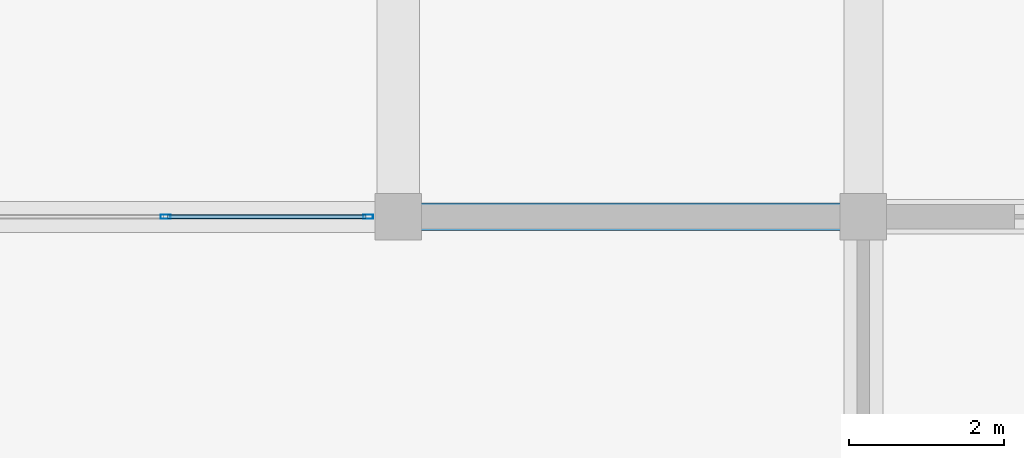
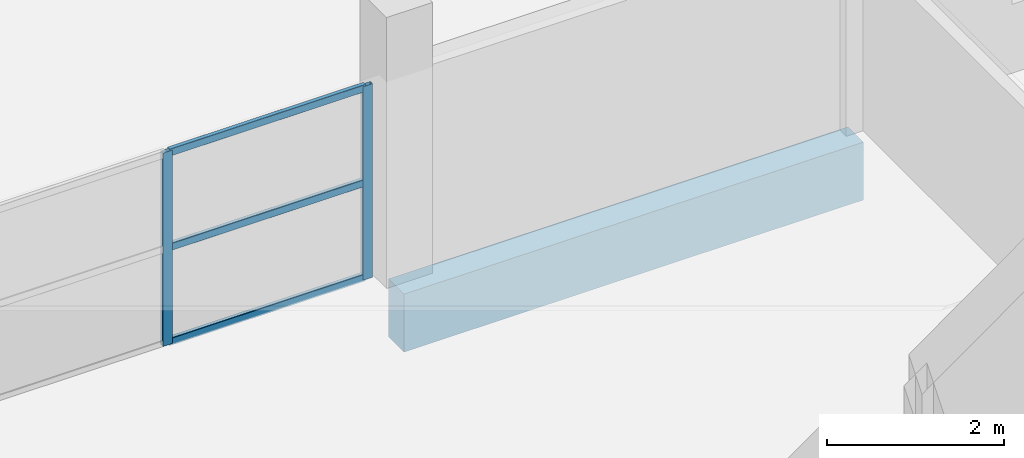
# One storey, part 7 of 19: 5 members, 1 beam, 1 element without a shape of its own.
"""IFC4 building model written with IfcOpenShell, lengths in metres."""

from ifc_helpers import new_model, si_unit, direction, frame, origin, origin_2d, place, context, subcontext, project, spatial, rectangle, hollow_rectangle, extrude, material, layer, layer_set, material_profile, profile_set, type_object, element, aggregate, save


model = new_model("IFC4")

# Units and contexts
model_context = context("Model", 3, precision=1e-05, world=origin(), true_north=direction((0.0, 1.0)))
body_context = subcontext(model_context, "Body", "Model", "MODEL_VIEW")
ifc_project = project(units=[si_unit("LENGTHUNIT", "METRE"), si_unit("AREAUNIT", "SQUARE_METRE"), si_unit("VOLUMEUNIT", "CUBIC_METRE"), si_unit("PLANEANGLEUNIT", "RADIAN"), si_unit("MASSUNIT", "GRAM", prefix="KILO")], contexts=[model_context])

# Site, building, storey
site_placement = place(None, origin())
site = spatial("IfcSite", under=ifc_project, at=site_placement, CompositionType="ELEMENT")
building_placement = place(site_placement, origin())
building = spatial("IfcBuilding", under=site, at=building_placement, Name="Dunvalen Ferry Terminal", CompositionType="ELEMENT")
storey_placement = place(building_placement, frame((0.0, 0.0, 13.580078125)))
storey = spatial("IfcBuildingStorey", under=building, at=storey_placement, Name="L03", CompositionType="ELEMENT", Elevation=13.580078125)

# Curtain wall, members
ifc_material_1 = material(Name="Anodised marine aluminium and solar-control glazing", Category="aluminium")
ifc_layer = layer(ifc_material_1, 0.14990234375, Name="Anodised marine aluminium and solar-control glazing")
ifc_layer_set = layer_set([ifc_layer], Name="Anodised marine aluminium and solar-control glazing")
curtain_wall_type = type_object("IfcCurtainWallType", Name="ENV-CW-SYS-11", PredefinedType="NOTDEFINED", material=ifc_layer_set)
curtain_wall_placement = place(storey_placement, origin())
curtain_wall = element("IfcCurtainWall", 1, at=curtain_wall_placement, inside=storey, type_object=curtain_wall_type, Name="L03 Curtain Wall CW-V5CORE-L03-7-2", PredefinedType="NOTDEFINED")
ifc_material_2 = material(Name="Anodised marine aluminium EN AW-6063 T6", Category="aluminium")
ifc_material_profile_1 = material_profile(ifc_material_2, hollow_rectangle(XDim=0.054931640625, YDim=0.1298828125, WallThickness=0.003173828125, InnerFilletRadius=0.003173828125, OuterFilletRadius=0.00634765625, at=origin_2d()), Name="Anodised marine aluminium EN AW-6063 T6")
ifc_profile_set_1 = profile_set([ifc_material_profile_1], Name="Anodised marine aluminium EN AW-6063 T6")
member_type_1 = type_object("IfcMemberType", Name="ENV-CW-MUL-4", PredefinedType="MULLION", material=ifc_profile_set_1)
member_1_placement = place(storey_placement, frame((47.612548828125, 28.800048828125, 0.0), z_axis=(0.0, 0.0, 1.0), x_axis=(0.0, -1.0, 0.0)))
member_1 = element("IfcMember", 2, at=member_1_placement, type_object=member_type_1, Name="CW-11 mullion 1", PredefinedType="MULLION", context=body_context, shape_type="SweptSolid", body=[
    extrude(hollow_rectangle(XDim=0.054931640625, YDim=0.1298828125, WallThickness=0.003173828125, InnerFilletRadius=0.003173828125, OuterFilletRadius=0.00634765625, at=origin_2d()), origin(), (0.0, 0.0, 1.0), 2.669921875),
])
member_2_placement = place(storey_placement, frame((45.0, 28.800048828125, 0.0), z_axis=(0.0, 0.0, 1.0), x_axis=(0.0, -1.0, 0.0)))
member_2 = element("IfcMember", 3, at=member_2_placement, type_object=member_type_1, Name="CW-11 mullion 2", PredefinedType="MULLION", context=body_context, shape_type="SweptSolid", body=[
    extrude(hollow_rectangle(XDim=0.054931640625, YDim=0.1298828125, WallThickness=0.003173828125, InnerFilletRadius=0.003173828125, OuterFilletRadius=0.00634765625, at=origin_2d()), origin(), (0.0, 0.0, 1.0), 2.669921875),
])
ifc_material_profile_2 = material_profile(ifc_material_2, hollow_rectangle(XDim=0.054931640625, YDim=0.10009765625, WallThickness=0.0029296875, InnerFilletRadius=0.0029296875, OuterFilletRadius=0.006103515625, at=origin_2d()), Name="Anodised marine aluminium EN AW-6063 T6")
ifc_profile_set_2 = profile_set([ifc_material_profile_2], Name="Anodised marine aluminium EN AW-6063 T6")
member_type_2 = type_object("IfcMemberType", Name="ENV-CW-TRN-4", PredefinedType="USERDEFINED", material=ifc_profile_set_2)
member_3_placement = place(storey_placement, frame((47.5849609375, 28.800048828125, 0.02734375), z_axis=(-1.0, 0.0, 0.0), x_axis=(0.0, -1.0, 0.0)))
member_3 = element("IfcMember", 4, at=member_3_placement, type_object=member_type_2, Name="CW-11 transom 1.1", ObjectType="TRANSOM", PredefinedType="USERDEFINED", context=body_context, shape_type="SweptSolid", body=[
    extrude(hollow_rectangle(XDim=0.054931640625, YDim=0.10009765625, WallThickness=0.0029296875, InnerFilletRadius=0.0029296875, OuterFilletRadius=0.006103515625, at=origin_2d()), origin(), (0.0, 0.0, 1.0), 2.557373046875),
])
member_4_placement = place(storey_placement, frame((47.5849609375, 28.800048828125, 1.3349609375), z_axis=(-1.0, 0.0, 0.0), x_axis=(0.0, -1.0, 0.0)))
member_4 = element("IfcMember", 5, at=member_4_placement, type_object=member_type_2, Name="CW-11 transom 1.2", ObjectType="TRANSOM", PredefinedType="USERDEFINED", context=body_context, shape_type="SweptSolid", body=[
    extrude(hollow_rectangle(XDim=0.054931640625, YDim=0.10009765625, WallThickness=0.0029296875, InnerFilletRadius=0.0029296875, OuterFilletRadius=0.006103515625, at=origin_2d()), origin(), (0.0, 0.0, 1.0), 2.557373046875),
])
member_5_placement = place(storey_placement, frame((47.5849609375, 28.800048828125, 2.642333984375), z_axis=(-1.0, 0.0, 0.0), x_axis=(0.0, -1.0, 0.0)))
member_5 = element("IfcMember", 6, at=member_5_placement, type_object=member_type_2, Name="CW-11 transom 1.3", ObjectType="TRANSOM", PredefinedType="USERDEFINED", context=body_context, shape_type="SweptSolid", body=[
    extrude(hollow_rectangle(XDim=0.054931640625, YDim=0.10009765625, WallThickness=0.0029296875, InnerFilletRadius=0.0029296875, OuterFilletRadius=0.006103515625, at=origin_2d()), origin(), (0.0, 0.0, 1.0), 2.557373046875),
])
aggregate(curtain_wall, [member_1, member_2, member_3, member_4, member_5])

# Beam
ifc_material_3 = material(Name="Concrete C40/50", Category="concrete")
ifc_material_profile_3 = material_profile(ifc_material_3, rectangle(XDim=0.35009765625, YDim=0.800048828125, at=origin_2d()), Name="Concrete C40/50")
ifc_profile_set_3 = profile_set([ifc_material_profile_3], Name="Concrete C40/50")
beam_type = type_object("IfcBeamType", Name="STR-BM-RCSP800", PredefinedType="SPANDREL", material=ifc_profile_set_3)
beam_placement = place(storey_placement, frame((48.0, 28.800048828125, -0.66015625), z_axis=(1.0, 0.0, 0.0), x_axis=(0.0, 1.0, 0.0)))
element("IfcBeam", 7, at=beam_placement, inside=storey, type_object=beam_type, Name="L03 V5P0 Primary Beam X-031", PredefinedType="SPANDREL", context=body_context, shape_type="SweptSolid", body=[
    extrude(rectangle(XDim=0.35009765625, YDim=0.800048828125, at=origin_2d()), origin(), (0.0, 0.0, 1.0), 6.0),
])

save(model, "model.ifc")
